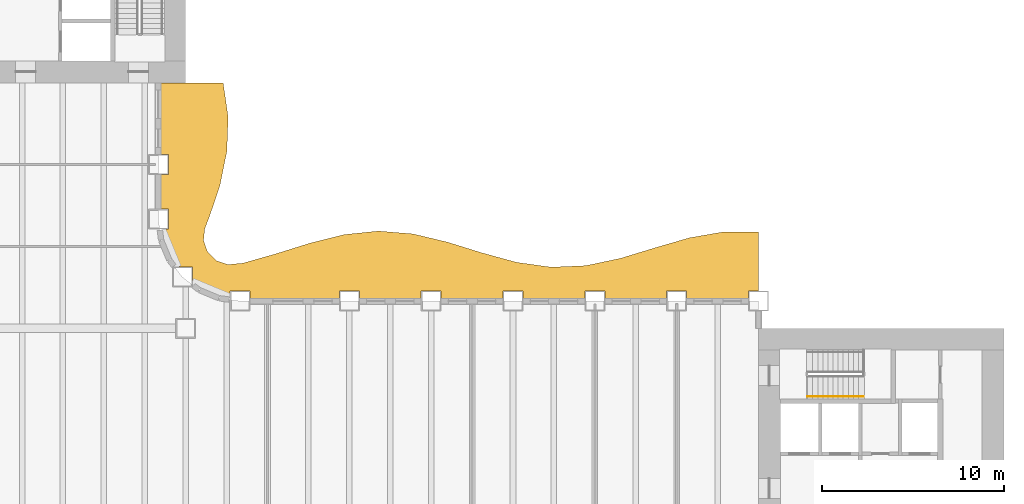
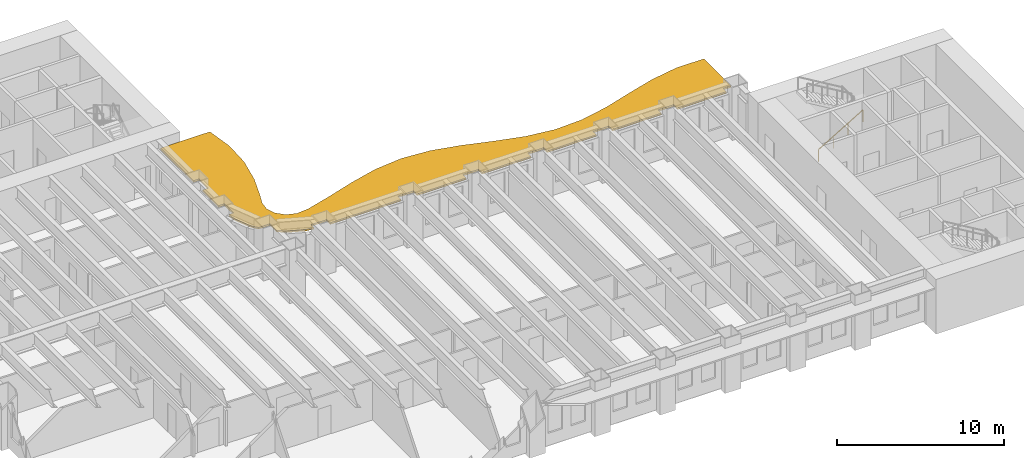
# One storey, part 13 of 15: 1 railing, 1 shading device.
"""IFC4 building model written with IfcOpenShell, lengths in metres."""

from ifc_helpers import new_model, si_unit, direction, frame, origin, origin_2d, place, context, subcontext, project, spatial, polyline, rectangle, outline, extrude, material, layer, layer_set, type_object, element, save


model = new_model("IFC4")

# Units and contexts
model_context = context("Model", 3, precision=1e-05, world=origin(), true_north=direction((0.0, 1.0)))
body_context = subcontext(model_context, "Body", "Model", "MODEL_VIEW")
ifc_project = project(units=[si_unit("LENGTHUNIT", "METRE"), si_unit("AREAUNIT", "SQUARE_METRE"), si_unit("VOLUMEUNIT", "CUBIC_METRE"), si_unit("PLANEANGLEUNIT", "RADIAN"), si_unit("MASSUNIT", "GRAM", prefix="KILO")], contexts=[model_context])

# Site, building, storey
site_placement = place(None, origin())
site = spatial("IfcSite", under=ifc_project, at=site_placement, CompositionType="ELEMENT")
building_placement = place(site_placement, origin())
building = spatial("IfcBuilding", under=site, at=building_placement, Name="Sennacour Bend Tower", CompositionType="ELEMENT")
storey_placement = place(building_placement, frame((0.0, 0.0, 33.0)))
storey = spatial("IfcBuildingStorey", under=building, at=storey_placement, Name="L06", CompositionType="ELEMENT", Elevation=33.0)

# Railing
ifc_material_1 = material(Name="Stainless steel", Category="steel")
railing_type = type_object("IfcRailingType", Name="RL-HANDRAIL-900", PredefinedType="HANDRAIL", material=ifc_material_1)
railing_placement = place(storey_placement, frame((56.699951171875, 18.75, 0.166748046875)))
element("IfcRailing", 1, at=railing_placement, inside=storey, type_object=railing_type, Name="L06 SA2 stair handrail 1", PredefinedType="HANDRAIL", context=body_context, shape_type="SweptSolid", body=[
    extrude(rectangle(XDim=0.048095703125, YDim=0.048095703125, at=origin_2d()), frame((0.0, 0.0, 0.8759765625), z_axis=(0.859308565015, 0.0, 0.511457515432), x_axis=(0.0, 1.0, 0.0)), (0.0, 0.0, 1.0), 3.58447265625),
    extrude(rectangle(XDim=0.0419921875, YDim=0.0419921875, at=origin_2d()), origin(), (0.0, 0.0, 1.0), 0.851806640625),
    extrude(rectangle(XDim=0.0419921875, YDim=0.0419921875, at=origin_2d()), frame((1.026611328125, 0.0, 0.611083984375)), (0.0, 0.0, 1.0), 0.851806640625),
    extrude(rectangle(XDim=0.0419921875, YDim=0.0419921875, at=origin_2d()), frame((2.053466796875, 0.0, 1.22216796875)), (0.0, 0.0, 1.0), 0.851806640625),
    extrude(rectangle(XDim=0.0419921875, YDim=0.0419921875, at=origin_2d()), frame((3.080078125, 0.0, 1.833251953125)), (0.0, 0.0, 1.0), 0.851806640625),
])

# Shading device
ifc_material_2 = material(Name="Bronze anodised aluminium", Category="aluminium")
ifc_layer = layer(ifc_material_2, 0.1201171875, Name="Bronze anodised aluminium", Category="aluminium")
ifc_layer_set = layer_set([ifc_layer], Name="Bronze anodised aluminium")
shading_device_type = type_object("IfcShadingDeviceType", Name="SUNSHADE BAND WAVE", PredefinedType="USERDEFINED", material=ifc_layer_set)
shading_device_placement = place(storey_placement, frame((0.0, 0.0, 3.02392578125)))
element("IfcShadingDevice", 2, at=shading_device_placement, inside=storey, type_object=shading_device_type, Name="Sunshade band L06 concave faces", ObjectType="SUNSHADE", PredefinedType="USERDEFINED", context=body_context, shape_type="SweptSolid", body=[
    extrude(outline(polyline([(53.449951171875, 24.14990234375), (50.050048828125, 24.14990234375), (50.050048828125, 24.550048828125), (48.949951171875, 24.550048828125), (48.949951171875, 24.14990234375), (45.550048828125, 24.14990234375), (45.550048828125, 24.550048828125), (44.449951171875, 24.550048828125), (44.449951171875, 24.14990234375), (41.050048828125, 24.14990234375), (41.050048828125, 24.550048828125), (39.949951171875, 24.550048828125), (39.949951171875, 24.14990234375), (36.550048828125, 24.14990234375), (36.550048828125, 24.550048828125), (35.449951171875, 24.550048828125), (35.449951171875, 24.14990234375), (32.050048828125, 24.14990234375), (32.050048828125, 24.550048828125), (30.949951171875, 24.550048828125), (30.949951171875, 24.14990234375), (26.050048828125, 24.14990234375), (26.050048828125, 24.550048828125), (24.949951171875, 24.550048828125), (24.949951171875, 24.2236328125), (24.37451171875, 24.299560546875), (23.32568359375, 24.73388671875), (22.8681640625, 25.0849609375), (22.8681640625, 25.8681640625), (22.0849609375, 25.8681640625), (21.73388671875, 26.32568359375), (21.299560546875, 27.37451171875), (21.2236328125, 27.949951171875), (21.550048828125, 27.949951171875), (21.550048828125, 29.050048828125), (21.14990234375, 29.050048828125), (21.14990234375, 30.949951171875), (21.550048828125, 30.949951171875), (21.550048828125, 32.050048828125), (21.14990234375, 32.050048828125), (21.14990234375, 36.0), (24.560791015625, 36.0), (24.8330078125, 34.125), (24.76708984375, 32.25), (24.38623046875, 30.375), (23.82080078125, 28.684814453125), (23.548828125, 27.977294921875), (23.4814453125, 27.334716796875), (23.700439453125, 26.700439453125), (24.18359375, 26.219970703125), (24.831787109375, 26.005859375), (25.636474609375, 26.081787109375), (27.39990234375, 26.58056640625), (29.300048828125, 27.174072265625), (31.199951171875, 27.6533203125), (33.10009765625, 27.849365234375), (35.0, 27.693115234375), (36.89990234375, 27.2392578125), (38.800048828125, 26.648193359375), (40.699951171875, 26.12841796875), (42.60009765625, 25.863037109375), (44.5, 25.94580078125), (46.39990234375, 26.347412109375), (48.300048828125, 26.926025390625), (50.199951171875, 27.47802734375), (52.10009765625, 27.80859375), (54.0, 27.801025390625), (54.0, 24.550048828125), (53.449951171875, 24.550048828125), (53.449951171875, 24.14990234375)])), origin(), (0.0, 0.0, 1.0), 0.1201171875),
])

save(model, "model.ifc")
